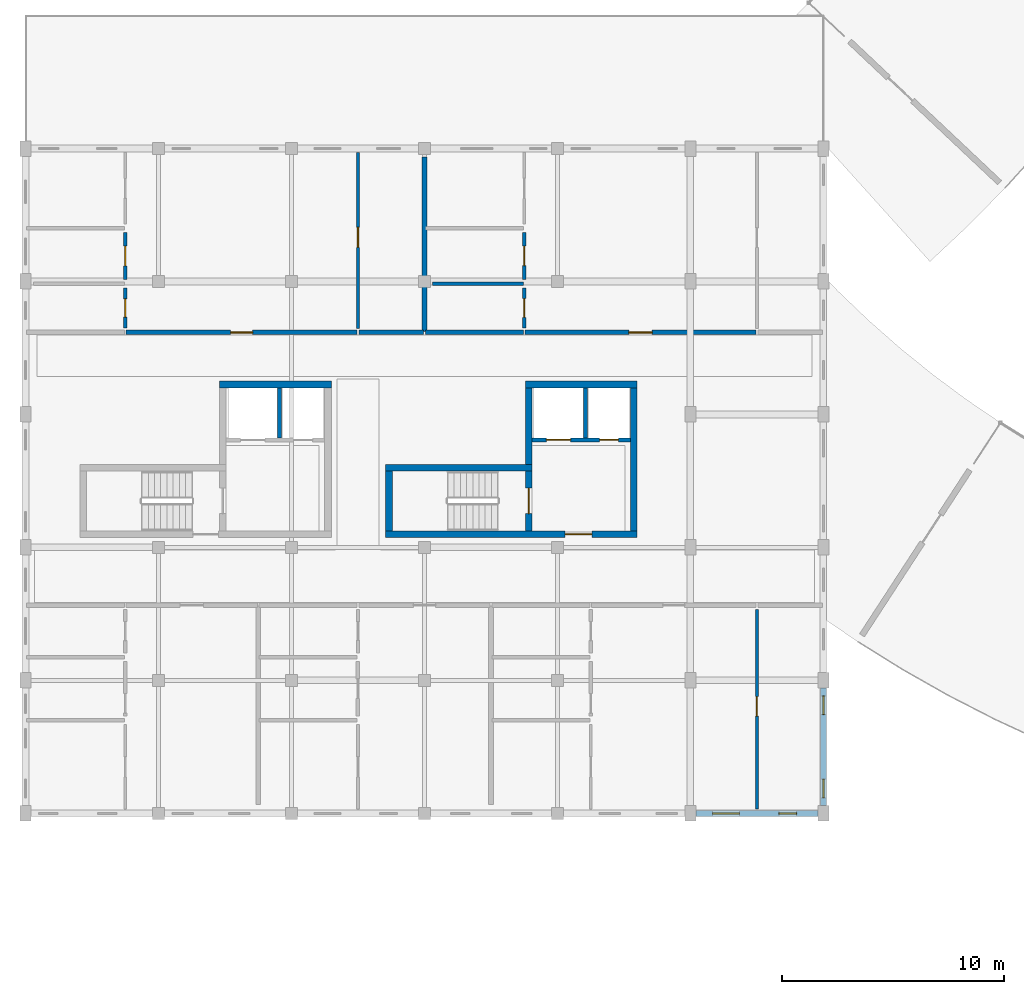
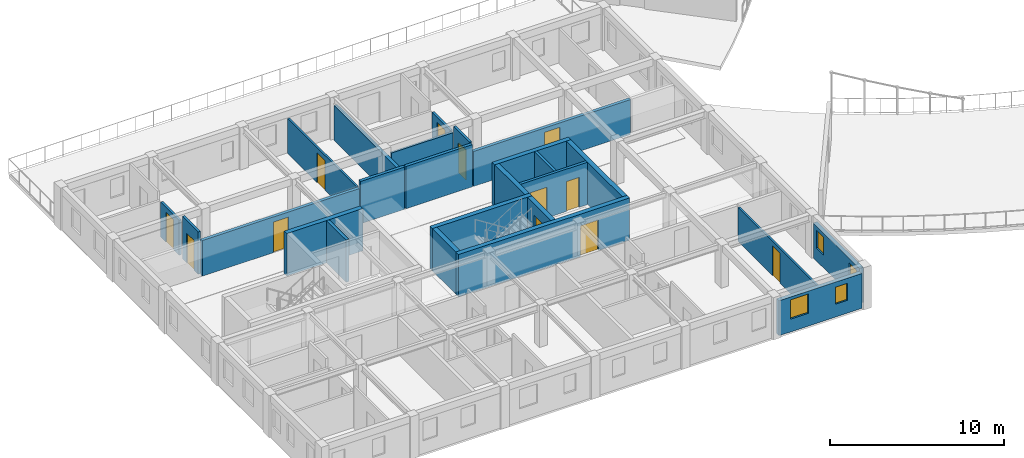
# One storey, part 27 of 58: 25 walls, 12 doors, 4 windows, 16 openings.
"""IFC4 building model written with IfcOpenShell, lengths in metres."""

from ifc_helpers import new_model, si_unit, direction, frame, frame_2d, origin, place, context, subcontext, project, spatial, rectangle, extrude, material, layer, layer_set, type_object, element, fill, save


model = new_model("IFC4")

# Units and contexts
model_context = context("Model", 3, precision=1e-05, world=origin(), true_north=direction((0.0, 1.0)))
body_context = subcontext(model_context, "Body", "Model", "MODEL_VIEW")
ifc_project = project(units=[si_unit("LENGTHUNIT", "METRE"), si_unit("AREAUNIT", "SQUARE_METRE"), si_unit("VOLUMEUNIT", "CUBIC_METRE"), si_unit("PLANEANGLEUNIT", "RADIAN"), si_unit("MASSUNIT", "GRAM", prefix="KILO"), si_unit("POWERUNIT", "WATT"), si_unit("THERMODYNAMICTEMPERATUREUNIT", "KELVIN")], contexts=[model_context])

# Site, building, storey
site_placement = place(None, origin())
site = spatial("IfcSite", under=ifc_project, at=site_placement, CompositionType="ELEMENT")
building_placement = place(site_placement, origin())
building = spatial("IfcBuilding", under=site, at=building_placement, Name="Ruvembo Vaulted Housing Court", CompositionType="ELEMENT")
storey_placement = place(building_placement, frame((0.0, 0.0, 20.5)))
storey = spatial("IfcBuildingStorey", under=building, at=storey_placement, Name="L06", CompositionType="ELEMENT", Elevation=20.5)

# Wall
ifc_material_1 = material(Name="Concrete C35/45", Category="concrete")
ifc_layer_1 = layer(ifc_material_1, 0.300048828125, Name="Concrete C35/45")
ifc_layer_set_1 = layer_set([ifc_layer_1], Name="Concrete C35/45")
wall_type_1 = type_object("IfcWallType", Name="WL-CORE-300", PredefinedType="SHEAR", material=ifc_layer_set_1)
wall_1_placement = place(storey_placement, frame((13.800048828125, 25.35009765625, 0.0), z_axis=(0.0, 0.0, 1.0), x_axis=(-1.0, 0.0, 0.0)))
element("IfcWall", 1, at=wall_1_placement, inside=storey, type_object=wall_type_1, Name="Core A1 L06 North Shear Wall", PredefinedType="SHEAR", context=body_context, shape_type="SweptSolid", body=[
    extrude(rectangle(XDim=5.050048828125, YDim=0.300048828125, at=frame_2d((2.52490234375, 0.0))), origin(), (0.0, 0.0, 1.0), 2.969970703125),
])

# Wall, opening, door
wall_2_placement = place(storey_placement, frame((16.25, 18.60009765625, 0.0), z_axis=(0.0, 0.0, 1.0), x_axis=(1.0, 0.0, 0.0)))
wall_2 = element("IfcWall", 2, at=wall_2_placement, inside=storey, type_object=wall_type_1, Name="Core A2 L06 South Shear Wall", PredefinedType="SHEAR", context=body_context, shape_type="SweptSolid", body=[
    extrude(rectangle(XDim=11.35009765625, YDim=0.300048828125, at=frame_2d((5.675048828125, 0.0))), origin(), (0.0, 0.0, 1.0), 2.969970703125),
])
opening_1_placement = place(wall_2_placement, frame((8.10009765625, 0.0, 0.0)))
opening_1 = element("IfcOpeningElement", 3, at=opening_1_placement, cuts=wall_2, Name="Opening LD3", PredefinedType="OPENING", context=body_context, shape_type="SweptSolid", body=[
    extrude(rectangle(XDim=1.199951171875, YDim=2.14990234375, at=frame_2d((0.60009765625, 1.074951171875))), frame((0.0, 0.159912109375, 0.0), z_axis=(0.0, -1.0, 0.0), x_axis=(1.0, 0.0, 0.0)), (0.0, 0.0, 1.0), 0.320068359375),
])
ifc_material_2 = material(Name="Galvanised Painted Steel", Category="steel")
door_type_1 = type_object("IfcDoorType", Name="DR-LOB-1200x2150", OperationType="NOTDEFINED", PredefinedType="DOOR", material=ifc_material_2)
door_1_placement = place(opening_1_placement, origin())
door_1 = element("IfcDoor", 4, at=door_1_placement, inside=storey, type_object=door_type_1, Name="Core A2 L06 Lobby Fire Door", OperationType="SINGLE_SWING_RIGHT", OverallHeight=2.14990234375, OverallWidth=1.199951171875, PredefinedType="DOOR", context=body_context, shape_type="SweptSolid", body=[
    extrude(rectangle(XDim=1.199951171875, YDim=2.14990234375, at=frame_2d((0.60009765625, 1.074951171875))), frame((0.0, 0.02490234375, 0.0), z_axis=(0.0, -1.0, 0.0), x_axis=(1.0, 0.0, 0.0)), (0.0, 0.0, 1.0), 0.050048828125),
])
fill(opening_1, door_1)

# Walls
wall_3_placement = place(storey_placement, frame((22.85009765625, 21.60009765625, 0.0), z_axis=(0.0, 0.0, 1.0), x_axis=(-1.0, 0.0, 0.0)))
element("IfcWall", 5, at=wall_3_placement, inside=storey, type_object=wall_type_1, Name="Core A2 L06 Stair North Shear Wall", PredefinedType="SHEAR", context=body_context, shape_type="SweptSolid", body=[
    extrude(rectangle(XDim=6.60009765625, YDim=0.300048828125, at=frame_2d((3.300048828125, 0.0))), origin(), (0.0, 0.0, 1.0), 2.969970703125),
])
wall_4_placement = place(storey_placement, frame((16.39990234375, 21.449951171875, 0.0), z_axis=(0.0, 0.0, 1.0), x_axis=(0.0, -1.0, 0.0)))
element("IfcWall", 6, at=wall_4_placement, inside=storey, type_object=wall_type_1, Name="Core A2 L06 Stair West Shear Wall", PredefinedType="SHEAR", context=body_context, shape_type="SweptSolid", body=[
    extrude(rectangle(XDim=2.699951171875, YDim=0.300048828125, at=frame_2d((1.35009765625, 0.0))), origin(), (0.0, 0.0, 1.0), 2.969970703125),
])

# Wall, opening, door
wall_5_placement = place(storey_placement, frame((22.699951171875, 18.75, 0.0), z_axis=(0.0, 0.0, 1.0), x_axis=(0.0, 1.0, 0.0)))
wall_5 = element("IfcWall", 7, at=wall_5_placement, inside=storey, type_object=wall_type_1, Name="Core A2 L06 Stair-Lobby Shear Wall", PredefinedType="SHEAR", context=body_context, shape_type="SweptSolid", body=[
    extrude(rectangle(XDim=2.699951171875, YDim=0.300048828125, at=frame_2d((1.35009765625, 0.0))), origin(), (0.0, 0.0, 1.0), 2.969970703125),
])
opening_2_placement = place(wall_5_placement, frame((0.77490234375, 0.0, 0.0)))
opening_2 = element("IfcOpeningElement", 8, at=opening_2_placement, cuts=wall_5, Name="Opening SD1", PredefinedType="OPENING", context=body_context, shape_type="SweptSolid", body=[
    extrude(rectangle(XDim=1.14990234375, YDim=2.14990234375, at=frame_2d((0.574951171875, 1.074951171875))), frame((0.0, 0.159912109375, 0.0), z_axis=(0.0, -1.0, 0.0), x_axis=(1.0, 0.0, 0.0)), (0.0, 0.0, 1.0), 0.320068359375),
])
door_type_2 = type_object("IfcDoorType", Name="DR-STAIR-1150x2150", OperationType="NOTDEFINED", PredefinedType="DOOR", material=ifc_material_2)
door_2_placement = place(opening_2_placement, origin())
door_2 = element("IfcDoor", 9, at=door_2_placement, inside=storey, type_object=door_type_2, Name="Stair ST-A2 L06 Fire Door", OperationType="SINGLE_SWING_LEFT", OverallHeight=2.14990234375, OverallWidth=1.14990234375, PredefinedType="DOOR", context=body_context, shape_type="SweptSolid", body=[
    extrude(rectangle(XDim=1.14990234375, YDim=2.14990234375, at=frame_2d((0.574951171875, 1.074951171875))), frame((0.0, 0.02490234375, 0.0), z_axis=(0.0, -1.0, 0.0), x_axis=(1.0, 0.0, 0.0)), (0.0, 0.0, 1.0), 0.050048828125),
])
fill(opening_2, door_2)

# Walls
wall_6_placement = place(storey_placement, frame((27.60009765625, 25.35009765625, 0.0), z_axis=(0.0, 0.0, 1.0), x_axis=(-1.0, 0.0, 0.0)))
element("IfcWall", 10, at=wall_6_placement, inside=storey, type_object=wall_type_1, Name="Core A2 L06 North Shear Wall", PredefinedType="SHEAR", context=body_context, shape_type="SweptSolid", body=[
    extrude(rectangle(XDim=5.050048828125, YDim=0.300048828125, at=frame_2d((2.52490234375, 0.0))), origin(), (0.0, 0.0, 1.0), 2.969970703125),
])
wall_7_placement = place(storey_placement, frame((27.449951171875, 18.75, 0.0), z_axis=(0.0, 0.0, 1.0), x_axis=(0.0, 1.0, 0.0)))
element("IfcWall", 11, at=wall_7_placement, inside=storey, type_object=wall_type_1, Name="Core A2 L06 East Shear Wall", PredefinedType="SHEAR", context=body_context, shape_type="SweptSolid", body=[
    extrude(rectangle(XDim=6.449951171875, YDim=0.300048828125, at=frame_2d((3.22509765625, 0.0))), origin(), (0.0, 0.0, 1.0), 2.969970703125),
])
wall_8_placement = place(storey_placement, frame((22.699951171875, 21.75, 0.0), z_axis=(0.0, 0.0, 1.0), x_axis=(0.0, 1.0, 0.0)))
element("IfcWall", 12, at=wall_8_placement, inside=storey, type_object=wall_type_1, Name="Core A2 L06 Upper West Shear Wall", PredefinedType="SHEAR", context=body_context, shape_type="SweptSolid", body=[
    extrude(rectangle(XDim=3.449951171875, YDim=0.300048828125, at=frame_2d((1.72509765625, 0.0))), origin(), (0.0, 0.0, 1.0), 2.969970703125),
])

# Wall, opening, door
ifc_material_3 = material(Name="Concrete Blockwork 200", Category="masonry")
ifc_layer_2 = layer(ifc_material_3, 0.199951171875, Name="Concrete Blockwork 200")
ifc_layer_set_2 = layer_set([ifc_layer_2], Name="Concrete Blockwork 200")
wall_type_2 = type_object("IfcWallType", Name="WL-CORR-200", PredefinedType="SOLIDWALL", material=ifc_layer_set_2)
wall_9_placement = place(storey_placement, frame((4.5400390625, 27.699951171875, 0.0), z_axis=(0.0, 0.0, 1.0), x_axis=(1.0, 0.0, 0.0)))
wall_9 = element("IfcWall", 13, at=wall_9_placement, inside=storey, type_object=wall_type_2, Name="L06 Flat A-L06-N1 Entrance WL-INT-L06-01717", PredefinedType="SOLIDWALL", context=body_context, shape_type="SweptSolid", body=[
    extrude(rectangle(XDim=10.419921875, YDim=0.199951171875, at=frame_2d((5.2099609375, 0.0))), origin(), (0.0, 0.0, 1.0), 2.508056640625),
])
opening_3_placement = place(wall_9_placement, frame((4.7099609375, 0.0, 0.0)))
opening_3 = element("IfcOpeningElement", 14, at=opening_3_placement, cuts=wall_9, Name="Opening FD1", PredefinedType="OPENING", context=body_context, shape_type="SweptSolid", body=[
    extrude(rectangle(XDim=1.0, YDim=2.14990234375, at=frame_2d((0.5, 1.074951171875))), frame((0.0, 0.10986328125, 0.0), z_axis=(0.0, -1.0, 0.0), x_axis=(1.0, 0.0, 0.0)), (0.0, 0.0, 1.0), 0.219970703125),
])
ifc_material_4 = material(Name="FSC Hardwood and Engineered Timber", Category="wood")
door_type_3 = type_object("IfcDoorType", Name="DR-FLAT-1000x2150", OperationType="NOTDEFINED", PredefinedType="DOOR", material=ifc_material_4)
door_3_placement = place(opening_3_placement, origin())
door_3 = element("IfcDoor", 15, at=door_3_placement, inside=storey, type_object=door_type_3, Name="L06 Flat A-L06-N1 Entrance Door DR-INT-L06-00972", OperationType="SINGLE_SWING_RIGHT", OverallHeight=2.14990234375, OverallWidth=1.0, PredefinedType="DOOR", context=body_context, shape_type="SweptSolid", body=[
    extrude(rectangle(XDim=1.0, YDim=2.14990234375, at=frame_2d((0.5, 1.074951171875))), frame((0.0, 0.02490234375, 0.0), z_axis=(0.0, -1.0, 0.0), x_axis=(1.0, 0.0, 0.0)), (0.0, 0.0, 1.0), 0.050048828125),
])
fill(opening_3, door_3)

# Walls
wall_10_placement = place(storey_placement, frame((15.0400390625, 27.699951171875, 0.0), z_axis=(0.0, 0.0, 1.0), x_axis=(1.0, 0.0, 0.0)))
element("IfcWall", 16, at=wall_10_placement, inside=storey, type_object=wall_type_2, Name="L06 Flat A-L06-N1 Corridor Wall 2 WL-INT-L06-01723", PredefinedType="SOLIDWALL", context=body_context, shape_type="SweptSolid", body=[
    extrude(rectangle(XDim=2.919921875, YDim=0.199951171875, at=frame_2d((1.4599609375, 0.0))), origin(), (0.0, 0.0, 1.0), 2.969970703125),
])
wall_11_placement = place(storey_placement, frame((18.0400390625, 27.699951171875, 0.0), z_axis=(0.0, 0.0, 1.0), x_axis=(1.0, 0.0, 0.0)))
element("IfcWall", 17, at=wall_11_placement, inside=storey, type_object=wall_type_2, Name="L06 Flat A-L06-N2 Corridor Wall WL-INT-L06-01725", PredefinedType="SOLIDWALL", context=body_context, shape_type="SweptSolid", body=[
    extrude(rectangle(XDim=4.419921875, YDim=0.199951171875, at=frame_2d((2.2099609375, 0.0))), origin(), (0.0, 0.0, 1.0), 2.969970703125),
])

# Wall, opening, door
wall_12_placement = place(storey_placement, frame((22.5400390625, 27.699951171875, 0.0), z_axis=(0.0, 0.0, 1.0), x_axis=(1.0, 0.0, 0.0)))
wall_12 = element("IfcWall", 18, at=wall_12_placement, inside=storey, type_object=wall_type_2, Name="L06 Flat A-L06-N2 Entrance WL-INT-L06-01726", PredefinedType="SOLIDWALL", context=body_context, shape_type="SweptSolid", body=[
    extrude(rectangle(XDim=10.419921875, YDim=0.199951171875, at=frame_2d((5.2099609375, 0.0))), origin(), (0.0, 0.0, 1.0), 2.451904296875),
])
opening_4_placement = place(wall_12_placement, frame((4.68505859375, 0.0, 0.0)))
opening_4 = element("IfcOpeningElement", 19, at=opening_4_placement, cuts=wall_12, Name="Opening FD3", PredefinedType="OPENING", context=body_context, shape_type="SweptSolid", body=[
    extrude(rectangle(XDim=1.050048828125, YDim=2.14990234375, at=frame_2d((0.52490234375, 1.074951171875))), frame((0.0, 0.10986328125, 0.0), z_axis=(0.0, -1.0, 0.0), x_axis=(1.0, 0.0, 0.0)), (0.0, 0.0, 1.0), 0.219970703125),
])
door_type_4 = type_object("IfcDoorType", Name="DR-FLAT-1050x2150", OperationType="NOTDEFINED", PredefinedType="DOOR", material=ifc_material_4)
door_4_placement = place(opening_4_placement, origin())
door_4 = element("IfcDoor", 20, at=door_4_placement, inside=storey, type_object=door_type_4, Name="L06 Flat A-L06-N2 Entrance Door DR-INT-L06-00977", OperationType="SINGLE_SWING_LEFT", OverallHeight=2.14990234375, OverallWidth=1.050048828125, PredefinedType="DOOR", context=body_context, shape_type="SweptSolid", body=[
    extrude(rectangle(XDim=1.050048828125, YDim=2.14990234375, at=frame_2d((0.52490234375, 1.074951171875))), frame((0.0, 0.02490234375, 0.0), z_axis=(0.0, -1.0, 0.0), x_axis=(1.0, 0.0, 0.0)), (0.0, 0.0, 1.0), 0.050048828125),
])
fill(opening_4, door_4)

# Wall
ifc_material_5 = material(Name="Acoustic Masonry Demising 220", Category="masonry")
ifc_layer_3 = layer(ifc_material_5, 0.219970703125, Name="Acoustic Masonry Demising 220")
ifc_layer_set_3 = layer_set([ifc_layer_3], Name="Acoustic Masonry Demising 220")
wall_type_3 = type_object("IfcWallType", Name="WL-DEM-200", PredefinedType="SOLIDWALL", material=ifc_layer_set_3)
wall_13_placement = place(storey_placement, frame((18.0, 27.739990234375, 0.0), z_axis=(0.0, 0.0, 1.0), x_axis=(0.0, 1.0, 0.0)))
element("IfcWall", 21, at=wall_13_placement, inside=storey, type_object=wall_type_3, Name="L06 Demising A-L06-N1 WL-INT-L06-01715", PredefinedType="SOLIDWALL", context=body_context, shape_type="SweptSolid", body=[
    extrude(rectangle(XDim=7.8701171875, YDim=0.219970703125, at=frame_2d((3.93505859375, 0.0))), origin(), (0.0, 0.0, 1.0), 2.4580078125),
])

# Wall, openings, windows
ifc_material_6 = material(Name="Rendered Masonry 270", Category="masonry")
ifc_layer_4 = layer(ifc_material_6, 0.27001953125, Name="Rendered Masonry 270")
ifc_layer_set_4 = layer_set([ifc_layer_4], Name="Rendered Masonry 270")
wall_type_4 = type_object("IfcWallType", Name="WL-EXT-270", PredefinedType="STANDARD", material=ifc_layer_set_4)
wall_14_placement = place(storey_placement, frame((30.25, 6.0, 0.0), z_axis=(0.0, 0.0, 1.0), x_axis=(1.0, 0.0, 0.0)))
wall_14 = element("IfcWall", 22, at=wall_14_placement, inside=storey, type_object=wall_type_4, Name="Block A L06 Exterior Wall STREET #6", PredefinedType="STANDARD", context=body_context, shape_type="SweptSolid", body=[
    extrude(rectangle(XDim=5.5, YDim=0.27001953125, at=frame_2d((2.75, 0.0))), origin(), (0.0, 0.0, 1.0), 2.451904296875),
])
opening_5_placement = place(wall_14_placement, frame((0.7548828125, 0.0, 0.89990234375)))
opening_5 = element("IfcOpeningElement", 23, at=opening_5_placement, cuts=wall_14, Name="Opening W12", PredefinedType="OPENING", context=body_context, shape_type="SweptSolid", body=[
    extrude(rectangle(XDim=1.199951171875, YDim=1.35009765625, at=frame_2d((0.60009765625, 0.675048828125))), frame((0.0, 0.14501953125, 0.0), z_axis=(0.0, -1.0, 0.0), x_axis=(1.0, 0.0, 0.0)), (0.0, 0.0, 1.0), 0.2900390625),
])
opening_6_placement = place(wall_14_placement, frame((3.7451171875, 0.0, 0.89990234375)))
opening_6 = element("IfcOpeningElement", 24, at=opening_6_placement, cuts=wall_14, Name="Opening W02", PredefinedType="OPENING", context=body_context, shape_type="SweptSolid", body=[
    extrude(rectangle(XDim=0.800048828125, YDim=1.199951171875, at=frame_2d((0.39990234375, 0.60009765625))), frame((0.0, 0.14501953125, 0.0), z_axis=(0.0, -1.0, 0.0), x_axis=(1.0, 0.0, 0.0)), (0.0, 0.0, 1.0), 0.2900390625),
])
ifc_material_7 = material(Name="Double Solar-Control Glazing in Aluminium Frame", Category="aluminium")
window_type_1 = type_object("IfcWindowType", Name="WIN-0800x1200", PartitioningType="SINGLE_PANEL", PredefinedType="WINDOW", material=ifc_material_7)
window_1_placement = place(opening_6_placement, origin())
window_1 = element("IfcWindow", 25, at=window_1_placement, inside=storey, type_object=window_type_1, Name="Block A L06 Window #264", OverallHeight=1.199951171875, OverallWidth=0.800048828125, PartitioningType="SINGLE_PANEL", PredefinedType="WINDOW", context=body_context, shape_type="SweptSolid", body=[
    extrude(rectangle(XDim=0.800048828125, YDim=1.199951171875, at=frame_2d((0.39990234375, 0.60009765625))), frame((0.0, 0.030029296875, 0.0), z_axis=(0.0, -1.0, 0.0), x_axis=(1.0, 0.0, 0.0)), (0.0, 0.0, 1.0), 0.06005859375),
])
fill(opening_6, window_1)
window_type_2 = type_object("IfcWindowType", Name="WIN-1200x1350", PartitioningType="SINGLE_PANEL", PredefinedType="WINDOW", material=ifc_material_7)
window_2_placement = place(opening_5_placement, origin())
window_2 = element("IfcWindow", 26, at=window_2_placement, inside=storey, type_object=window_type_2, Name="Block A L06 Window #263", OverallHeight=1.35009765625, OverallWidth=1.199951171875, PartitioningType="SINGLE_PANEL", PredefinedType="WINDOW", context=body_context, shape_type="SweptSolid", body=[
    extrude(rectangle(XDim=1.199951171875, YDim=1.35009765625, at=frame_2d((0.60009765625, 0.675048828125))), frame((0.0, 0.030029296875, 0.0), z_axis=(0.0, -1.0, 0.0), x_axis=(1.0, 0.0, 0.0)), (0.0, 0.0, 1.0), 0.06005859375),
])
fill(opening_5, window_2)

wall_15_placement = place(storey_placement, frame((36.0, 6.35009765625, 0.0), z_axis=(0.0, 0.0, 1.0), x_axis=(0.0, 1.0, 0.0)))
wall_15 = element("IfcWall", 27, at=wall_15_placement, inside=storey, type_object=wall_type_4, Name="Block A L06 Exterior Wall EAST #1", PredefinedType="STANDARD", context=body_context, shape_type="SweptSolid", body=[
    extrude(rectangle(XDim=5.2998046875, YDim=0.27001953125, at=frame_2d((2.64990234375, 0.0))), origin(), (0.0, 0.0, 1.0), 2.451904296875),
])
opening_7_placement = place(wall_15_placement, frame((0.35009765625, 0.0, 0.89990234375)))
opening_7 = element("IfcOpeningElement", 28, at=opening_7_placement, cuts=wall_15, Name="Opening W03", PredefinedType="OPENING", context=body_context, shape_type="SweptSolid", body=[
    extrude(rectangle(XDim=0.85009765625, YDim=1.25, at=frame_2d((0.425048828125, 0.625))), frame((0.0, 0.14501953125, 0.0), z_axis=(0.0, -1.0, 0.0), x_axis=(1.0, 0.0, 0.0)), (0.0, 0.0, 1.0), 0.2900390625),
])
opening_8_placement = place(wall_15_placement, frame((4.10009765625, 0.0, 0.89990234375)))
opening_8 = element("IfcOpeningElement", 29, at=opening_8_placement, cuts=wall_15, Name="Opening W03", PredefinedType="OPENING", context=body_context, shape_type="SweptSolid", body=[
    extrude(rectangle(XDim=0.85009765625, YDim=1.25, at=frame_2d((0.425048828125, 0.625))), frame((0.0, 0.14501953125, 0.0), z_axis=(0.0, -1.0, 0.0), x_axis=(1.0, 0.0, 0.0)), (0.0, 0.0, 1.0), 0.2900390625),
])
window_type_3 = type_object("IfcWindowType", Name="WIN-0850x1250", PartitioningType="SINGLE_PANEL", PredefinedType="WINDOW", material=ifc_material_7)
window_3_placement = place(opening_7_placement, origin())
window_3 = element("IfcWindow", 30, at=window_3_placement, inside=storey, type_object=window_type_3, Name="Block A L06 Window #265", OverallHeight=1.25, OverallWidth=0.85009765625, PartitioningType="SINGLE_PANEL", PredefinedType="WINDOW", context=body_context, shape_type="SweptSolid", body=[
    extrude(rectangle(XDim=0.85009765625, YDim=1.25, at=frame_2d((0.425048828125, 0.625))), frame((0.0, 0.030029296875, 0.0), z_axis=(0.0, -1.0, 0.0), x_axis=(1.0, 0.0, 0.0)), (0.0, 0.0, 1.0), 0.06005859375),
])
fill(opening_7, window_3)
window_4_placement = place(opening_8_placement, origin())
window_4 = element("IfcWindow", 31, at=window_4_placement, inside=storey, type_object=window_type_3, Name="Block A L06 Window #266", OverallHeight=1.25, OverallWidth=0.85009765625, PartitioningType="SINGLE_PANEL", PredefinedType="WINDOW", context=body_context, shape_type="SweptSolid", body=[
    extrude(rectangle(XDim=0.85009765625, YDim=1.25, at=frame_2d((0.425048828125, 0.625))), frame((0.0, 0.030029296875, 0.0), z_axis=(0.0, -1.0, 0.0), x_axis=(1.0, 0.0, 0.0)), (0.0, 0.0, 1.0), 0.06005859375),
])
fill(opening_8, window_4)

# Wall, opening, door
ifc_material_8 = material(Name="Plasterboard Stud Partition 125", Category="gypsum")
ifc_layer_5 = layer(ifc_material_8, 0.125, Name="Plasterboard Stud Partition 125")
ifc_layer_set_5 = layer_set([ifc_layer_5], Name="Plasterboard Stud Partition 125")
wall_type_5 = type_object("IfcWallType", Name="WL-PART-125", PredefinedType="PARTITIONING", material=ifc_layer_set_5)
wall_16_placement = place(storey_placement, frame((33.0, 6.18994140625, 0.0), z_axis=(0.0, 0.0, 1.0), x_axis=(0.0, 1.0, 0.0)))
wall_16 = element("IfcWall", 32, at=wall_16_placement, inside=storey, type_object=wall_type_5, Name="L06 Flat A-L06-S3 Bedroom 2 WL-INT-L06-01714", PredefinedType="PARTITIONING", context=body_context, shape_type="SweptSolid", body=[
    extrude(rectangle(XDim=9.02001953125, YDim=0.125, at=frame_2d((4.510009765625, 0.0))), origin(), (0.0, 0.0, 1.0), 2.407958984375),
])
opening_9_placement = place(wall_16_placement, frame((4.199951171875, 0.0, 0.0)))
opening_9 = element("IfcOpeningElement", 33, at=opening_9_placement, cuts=wall_16, Name="Opening ID3", PredefinedType="OPENING", context=body_context, shape_type="SweptSolid", body=[
    extrude(rectangle(XDim=0.8798828125, YDim=2.10009765625, at=frame_2d((0.43994140625, 1.050048828125))), frame((0.0, 0.072509765625, 0.0), z_axis=(0.0, -1.0, 0.0), x_axis=(1.0, 0.0, 0.0)), (0.0, 0.0, 1.0), 0.14501953125),
])
door_type_5 = type_object("IfcDoorType", Name="DR-ROOM-0880x2100", OperationType="NOTDEFINED", PredefinedType="DOOR", material=ifc_material_4)
door_5_placement = place(opening_9_placement, origin())
door_5 = element("IfcDoor", 34, at=door_5_placement, inside=storey, type_object=door_type_5, Name="L06 Flat A-L06-S3 Bedroom 2 Door DR-INT-L06-00971", OperationType="SINGLE_SWING_LEFT", OverallHeight=2.10009765625, OverallWidth=0.8798828125, PredefinedType="DOOR", context=body_context, shape_type="SweptSolid", body=[
    extrude(rectangle(XDim=0.8798828125, YDim=2.10009765625, at=frame_2d((0.43994140625, 1.050048828125))), frame((0.0, 0.02490234375, 0.0), z_axis=(0.0, -1.0, 0.0), x_axis=(1.0, 0.0, 0.0)), (0.0, 0.0, 1.0), 0.050048828125),
])
fill(opening_9, door_5)

wall_17_placement = place(storey_placement, frame((15.0, 27.889892578125, 0.0), z_axis=(0.0, 0.0, 1.0), x_axis=(0.0, 1.0, 0.0)))
wall_17 = element("IfcWall", 35, at=wall_17_placement, inside=storey, type_object=wall_type_5, Name="L06 Flat A-L06-N1 Bedroom 2 WL-INT-L06-01724", PredefinedType="PARTITIONING", context=body_context, shape_type="SweptSolid", body=[
    extrude(rectangle(XDim=7.920166015625, YDim=0.125, at=frame_2d((3.9599609375, 0.0))), origin(), (0.0, 0.0, 1.0), 2.451904296875),
])
opening_10_placement = place(wall_17_placement, frame((3.64990234375, 0.0, 0.0)))
opening_10 = element("IfcOpeningElement", 36, at=opening_10_placement, cuts=wall_17, Name="Opening ID1", PredefinedType="OPENING", context=body_context, shape_type="SweptSolid", body=[
    extrude(rectangle(XDim=0.89990234375, YDim=2.10009765625, at=frame_2d((0.449951171875, 1.050048828125))), frame((0.0, 0.072509765625, 0.0), z_axis=(0.0, -1.0, 0.0), x_axis=(1.0, 0.0, 0.0)), (0.0, 0.0, 1.0), 0.14501953125),
])
door_type_6 = type_object("IfcDoorType", Name="DR-ROOM-0900x2100", OperationType="NOTDEFINED", PredefinedType="DOOR", material=ifc_material_4)
door_6_placement = place(opening_10_placement, origin())
door_6 = element("IfcDoor", 37, at=door_6_placement, inside=storey, type_object=door_type_6, Name="L06 Flat A-L06-N1 Bedroom 2 Door DR-INT-L06-00976", OperationType="SINGLE_SWING_RIGHT", OverallHeight=2.10009765625, OverallWidth=0.89990234375, PredefinedType="DOOR", context=body_context, shape_type="SweptSolid", body=[
    extrude(rectangle(XDim=0.89990234375, YDim=2.10009765625, at=frame_2d((0.449951171875, 1.050048828125))), frame((0.0, 0.02490234375, 0.0), z_axis=(0.0, -1.0, 0.0), x_axis=(1.0, 0.0, 0.0)), (0.0, 0.0, 1.0), 0.050048828125),
])
fill(opening_10, door_6)

ifc_material_9 = material(Name="Moisture-Resistant Wet Partition 150", Category="gypsum")
ifc_layer_6 = layer(ifc_material_9, 0.14990234375, Name="Moisture-Resistant Wet Partition 150")
ifc_layer_set_6 = layer_set([ifc_layer_6], Name="Moisture-Resistant Wet Partition 150")
wall_type_6 = type_object("IfcWallType", Name="WL-PART-150", PredefinedType="PARTITIONING", material=ifc_layer_set_6)
wall_18_placement = place(storey_placement, frame((4.5, 27.889892578125, 0.0), z_axis=(0.0, 0.0, 1.0), x_axis=(0.0, 1.0, 0.0)))
wall_18 = element("IfcWall", 38, at=wall_18_placement, inside=storey, type_object=wall_type_6, Name="L06 Flat A-L06-N1 Bathroom WL-INT-L06-01720", PredefinedType="PARTITIONING", context=body_context, shape_type="SweptSolid", body=[
    extrude(rectangle(XDim=1.820068359375, YDim=0.14990234375, at=frame_2d((0.91015625, 0.0))), origin(), (0.0, 0.0, 1.0), 2.969970703125),
])
opening_11_placement = place(wall_18_placement, frame((0.5, 0.0, 0.0)))
opening_11 = element("IfcOpeningElement", 39, at=opening_11_placement, cuts=wall_18, Name="Opening ID4", PredefinedType="OPENING", context=body_context, shape_type="SweptSolid", body=[
    extrude(rectangle(XDim=0.820068359375, YDim=2.080078125, at=frame_2d((0.41015625, 1.0400390625))), frame((0.0, 0.0849609375, 0.0), z_axis=(0.0, -1.0, 0.0), x_axis=(1.0, 0.0, 0.0)), (0.0, 0.0, 1.0), 0.169921875),
])
door_type_7 = type_object("IfcDoorType", Name="DR-WET-0820x2080", OperationType="NOTDEFINED", PredefinedType="DOOR", material=ifc_material_4)
door_7_placement = place(opening_11_placement, origin())
door_7 = element("IfcDoor", 40, at=door_7_placement, inside=storey, type_object=door_type_7, Name="L06 Flat A-L06-N1 Bathroom Door DR-INT-L06-00975", OperationType="SINGLE_SWING_LEFT", OverallHeight=2.080078125, OverallWidth=0.820068359375, PredefinedType="DOOR", context=body_context, shape_type="SweptSolid", body=[
    extrude(rectangle(XDim=0.820068359375, YDim=2.080078125, at=frame_2d((0.41015625, 1.0400390625))), frame((0.0, 0.02490234375, 0.0), z_axis=(0.0, -1.0, 0.0), x_axis=(1.0, 0.0, 0.0)), (0.0, 0.0, 1.0), 0.050048828125),
])
fill(opening_11, door_7)

wall_19_placement = place(storey_placement, frame((22.5, 27.889892578125, 0.0), z_axis=(0.0, 0.0, 1.0), x_axis=(0.0, 1.0, 0.0)))
wall_19 = element("IfcWall", 41, at=wall_19_placement, inside=storey, type_object=wall_type_6, Name="L06 Flat A-L06-N2 Bathroom WL-INT-L06-01729", PredefinedType="PARTITIONING", context=body_context, shape_type="SweptSolid", body=[
    extrude(rectangle(XDim=1.820068359375, YDim=0.14990234375, at=frame_2d((0.91015625, 0.0))), origin(), (0.0, 0.0, 1.0), 2.969970703125),
])
opening_12_placement = place(wall_19_placement, frame((0.485107421875, 0.0, 0.0)))
opening_12 = element("IfcOpeningElement", 42, at=opening_12_placement, cuts=wall_19, Name="Opening ID2", PredefinedType="OPENING", context=body_context, shape_type="SweptSolid", body=[
    extrude(rectangle(XDim=0.85009765625, YDim=2.10009765625, at=frame_2d((0.425048828125, 1.050048828125))), frame((0.0, 0.0849609375, 0.0), z_axis=(0.0, -1.0, 0.0), x_axis=(1.0, 0.0, 0.0)), (0.0, 0.0, 1.0), 0.169921875),
])
door_type_8 = type_object("IfcDoorType", Name="DR-WET-0850x2100", OperationType="NOTDEFINED", PredefinedType="DOOR", material=ifc_material_4)
door_8_placement = place(opening_12_placement, origin())
door_8 = element("IfcDoor", 43, at=door_8_placement, inside=storey, type_object=door_type_8, Name="L06 Flat A-L06-N2 Bathroom Door DR-INT-L06-00980", OperationType="SINGLE_SWING_RIGHT", OverallHeight=2.10009765625, OverallWidth=0.85009765625, PredefinedType="DOOR", context=body_context, shape_type="SweptSolid", body=[
    extrude(rectangle(XDim=0.85009765625, YDim=2.10009765625, at=frame_2d((0.425048828125, 1.050048828125))), frame((0.0, 0.02490234375, 0.0), z_axis=(0.0, -1.0, 0.0), x_axis=(1.0, 0.0, 0.0)), (0.0, 0.0, 1.0), 0.050048828125),
])
fill(opening_12, door_8)

# Wall
wall_20_placement = place(storey_placement, frame((18.360107421875, 29.89990234375, 0.0), z_axis=(0.0, 0.0, 1.0), x_axis=(1.0, 0.0, 0.0)))
element("IfcWall", 44, at=wall_20_placement, inside=storey, type_object=wall_type_6, Name="L06 Flat A-L06-N2 Wet Wall 2 WL-INT-L06-01731", PredefinedType="PARTITIONING", context=body_context, shape_type="SweptSolid", body=[
    extrude(rectangle(XDim=4.099853515625, YDim=0.14990234375, at=frame_2d((2.0498046875, 0.0))), origin(), (0.0, 0.0, 1.0), 2.451904296875),
])

# Wall, opening, door
ifc_material_10 = material(Name="Acoustic Service Chase Wall 160", Category="gypsum")
ifc_layer_7 = layer(ifc_material_10, 0.159912109375, Name="Acoustic Service Chase Wall 160")
ifc_layer_set_7 = layer_set([ifc_layer_7], Name="Acoustic Service Chase Wall 160")
wall_type_7 = type_object("IfcWallType", Name="WL-PLUMB-160", PredefinedType="PLUMBINGWALL", material=ifc_layer_set_7)
wall_21_placement = place(storey_placement, frame((4.5, 30.090087890625, 0.0), z_axis=(0.0, 0.0, 1.0), x_axis=(0.0, 1.0, 0.0)))
wall_21 = element("IfcWall", 45, at=wall_21_placement, inside=storey, type_object=wall_type_7, Name="L06 Flat A-L06-N1 Kitchen WL-INT-L06-01719", PredefinedType="PLUMBINGWALL", context=body_context, shape_type="SweptSolid", body=[
    extrude(rectangle(XDim=2.119873046875, YDim=0.159912109375, at=frame_2d((1.06005859375, 0.0))), origin(), (0.0, 0.0, 1.0), 2.451904296875),
])
opening_13_placement = place(wall_21_placement, frame((0.610107421875, 0.0, 0.0)))
opening_13 = element("IfcOpeningElement", 46, at=opening_13_placement, cuts=wall_21, Name="Opening ID1", PredefinedType="OPENING", context=body_context, shape_type="SweptSolid", body=[
    extrude(rectangle(XDim=0.89990234375, YDim=2.10009765625, at=frame_2d((0.449951171875, 1.050048828125))), frame((0.0, 0.08984375, 0.0), z_axis=(0.0, -1.0, 0.0), x_axis=(1.0, 0.0, 0.0)), (0.0, 0.0, 1.0), 0.179931640625),
])
door_9_placement = place(opening_13_placement, origin())
door_9 = element("IfcDoor", 47, at=door_9_placement, inside=storey, type_object=door_type_6, Name="L06 Flat A-L06-N1 Kitchen Door DR-INT-L06-00974", OperationType="SINGLE_SWING_RIGHT", OverallHeight=2.10009765625, OverallWidth=0.89990234375, PredefinedType="DOOR", context=body_context, shape_type="SweptSolid", body=[
    extrude(rectangle(XDim=0.89990234375, YDim=2.10009765625, at=frame_2d((0.449951171875, 1.050048828125))), frame((0.0, 0.02490234375, 0.0), z_axis=(0.0, -1.0, 0.0), x_axis=(1.0, 0.0, 0.0)), (0.0, 0.0, 1.0), 0.050048828125),
])
fill(opening_13, door_9)

wall_22_placement = place(storey_placement, frame((22.5, 30.090087890625, 0.0), z_axis=(0.0, 0.0, 1.0), x_axis=(0.0, 1.0, 0.0)))
wall_22 = element("IfcWall", 48, at=wall_22_placement, inside=storey, type_object=wall_type_7, Name="L06 Flat A-L06-N2 Kitchen WL-INT-L06-01728", PredefinedType="PLUMBINGWALL", context=body_context, shape_type="SweptSolid", body=[
    extrude(rectangle(XDim=2.119873046875, YDim=0.159912109375, at=frame_2d((1.06005859375, 0.0))), origin(), (0.0, 0.0, 1.0), 2.451904296875),
])
opening_14_placement = place(wall_22_placement, frame((0.6201171875, 0.0, 0.0)))
opening_14 = element("IfcOpeningElement", 49, at=opening_14_placement, cuts=wall_22, Name="Opening ID3", PredefinedType="OPENING", context=body_context, shape_type="SweptSolid", body=[
    extrude(rectangle(XDim=0.8798828125, YDim=2.10009765625, at=frame_2d((0.43994140625, 1.050048828125))), frame((0.0, 0.08984375, 0.0), z_axis=(0.0, -1.0, 0.0), x_axis=(1.0, 0.0, 0.0)), (0.0, 0.0, 1.0), 0.179931640625),
])
door_10_placement = place(opening_14_placement, origin())
door_10 = element("IfcDoor", 50, at=door_10_placement, inside=storey, type_object=door_type_5, Name="L06 Flat A-L06-N2 Kitchen Door DR-INT-L06-00979", OperationType="SINGLE_SWING_LEFT", OverallHeight=2.10009765625, OverallWidth=0.8798828125, PredefinedType="DOOR", context=body_context, shape_type="SweptSolid", body=[
    extrude(rectangle(XDim=0.8798828125, YDim=2.10009765625, at=frame_2d((0.43994140625, 1.050048828125))), frame((0.0, 0.02490234375, 0.0), z_axis=(0.0, -1.0, 0.0), x_axis=(1.0, 0.0, 0.0)), (0.0, 0.0, 1.0), 0.050048828125),
])
fill(opening_14, door_10)

# Wall
ifc_material_11 = material(Name="Fire-Rated Masonry Shaft 180", Category="masonry")
ifc_layer_8 = layer(ifc_material_11, 0.179931640625, Name="Fire-Rated Masonry Shaft 180")
ifc_layer_set_8 = layer_set([ifc_layer_8], Name="Fire-Rated Masonry Shaft 180")
wall_type_8 = type_object("IfcWallType", Name="WL-SHAFT-180", PredefinedType="SOLIDWALL", material=ifc_layer_set_8)
wall_23_placement = place(storey_placement, frame((11.469970703125, 22.93994140625, 0.0), z_axis=(0.0, 0.0, 1.0), x_axis=(0.0, 1.0, 0.0)))
element("IfcWall", 51, at=wall_23_placement, inside=storey, type_object=wall_type_8, Name="Core A1 L06 Shaft-Riser Divider Wall", PredefinedType="SOLIDWALL", context=body_context, shape_type="SweptSolid", body=[
    extrude(rectangle(XDim=2.260009765625, YDim=0.179931640625, at=frame_2d((1.1298828125, 0.0))), origin(), (0.0, 0.0, 1.0), 2.969970703125),
])

# Wall, openings, doors
wall_24_placement = place(storey_placement, frame((22.85009765625, 22.85009765625, 0.0), z_axis=(0.0, 0.0, 1.0), x_axis=(1.0, 0.0, 0.0)))
wall_24 = element("IfcWall", 52, at=wall_24_placement, inside=storey, type_object=wall_type_8, Name="Core A2 L06 Lift and Riser Front Wall", PredefinedType="SOLIDWALL", context=body_context, shape_type="SweptSolid", body=[
    extrude(rectangle(XDim=4.449951171875, YDim=0.179931640625, at=frame_2d((2.22509765625, 0.0))), origin(), (0.0, 0.0, 1.0), 2.969970703125),
])
opening_15_placement = place(wall_24_placement, frame((0.64990234375, 0.0, 0.0)))
opening_15 = element("IfcOpeningElement", 53, at=opening_15_placement, cuts=wall_24, Name="Opening LD-FL-A2-L06", PredefinedType="OPENING", context=body_context, shape_type="SweptSolid", body=[
    extrude(rectangle(XDim=1.10009765625, YDim=2.14990234375, at=frame_2d((0.550048828125, 1.074951171875))), frame((0.0, 0.099853515625, 0.0), z_axis=(0.0, -1.0, 0.0), x_axis=(1.0, 0.0, 0.0)), (0.0, 0.0, 1.0), 0.199951171875),
])
opening_16_placement = place(wall_24_placement, frame((3.050048828125, 0.0, 0.0)))
opening_16 = element("IfcOpeningElement", 54, at=opening_16_placement, cuts=wall_24, Name="Opening RD1", PredefinedType="OPENING", context=body_context, shape_type="SweptSolid", body=[
    extrude(rectangle(XDim=0.85009765625, YDim=2.10009765625, at=frame_2d((0.425048828125, 1.050048828125))), frame((0.0, 0.099853515625, 0.0), z_axis=(0.0, -1.0, 0.0), x_axis=(1.0, 0.0, 0.0)), (0.0, 0.0, 1.0), 0.199951171875),
])
ifc_material_12 = material(Name="Brushed Stainless Steel 304", Category="steel")
door_type_9 = type_object("IfcDoorType", Name="DR-LIFT-1100x2150", OperationType="NOTDEFINED", PredefinedType="DOOR", material=ifc_material_12)
door_11_placement = place(opening_15_placement, origin())
door_11 = element("IfcDoor", 55, at=door_11_placement, inside=storey, type_object=door_type_9, Name="Lift FL-A2 L06 Sliding Landing Door", OperationType="SLIDING_TO_LEFT", OverallHeight=2.14990234375, OverallWidth=1.10009765625, PredefinedType="DOOR", context=body_context, shape_type="SweptSolid", body=[
    extrude(rectangle(XDim=1.10009765625, YDim=2.14990234375, at=frame_2d((0.550048828125, 1.074951171875))), frame((0.0, 0.02490234375, 0.0), z_axis=(0.0, -1.0, 0.0), x_axis=(1.0, 0.0, 0.0)), (0.0, 0.0, 1.0), 0.050048828125),
])
fill(opening_15, door_11)
door_type_10 = type_object("IfcDoorType", Name="DR-RISER-0850x2100", OperationType="NOTDEFINED", PredefinedType="DOOR", material=ifc_material_2)
door_12_placement = place(opening_16_placement, frame((0.85009765625, 0.0, 0.0), z_axis=(0.0, 0.0, 1.0), x_axis=(-1.0, 0.0, 0.0)))
door_12 = element("IfcDoor", 56, at=door_12_placement, inside=storey, type_object=door_type_10, Name="Core A2 L06 Service Riser Door", OperationType="SINGLE_SWING_RIGHT", OverallHeight=2.10009765625, OverallWidth=0.85009765625, PredefinedType="DOOR", context=body_context, shape_type="SweptSolid", body=[
    extrude(rectangle(XDim=0.85009765625, YDim=2.10009765625, at=frame_2d((0.425048828125, 1.050048828125))), frame((0.0, 0.02490234375, 0.0), z_axis=(0.0, -1.0, 0.0), x_axis=(1.0, 0.0, 0.0)), (0.0, 0.0, 1.0), 0.050048828125),
])
fill(opening_16, door_12)

# Wall
wall_25_placement = place(storey_placement, frame((25.27001953125, 22.93994140625, 0.0), z_axis=(0.0, 0.0, 1.0), x_axis=(0.0, 1.0, 0.0)))
element("IfcWall", 57, at=wall_25_placement, inside=storey, type_object=wall_type_8, Name="Core A2 L06 Shaft-Riser Divider Wall", PredefinedType="SOLIDWALL", context=body_context, shape_type="SweptSolid", body=[
    extrude(rectangle(XDim=2.260009765625, YDim=0.179931640625, at=frame_2d((1.1298828125, 0.0))), origin(), (0.0, 0.0, 1.0), 2.969970703125),
])

save(model, "model.ifc")
